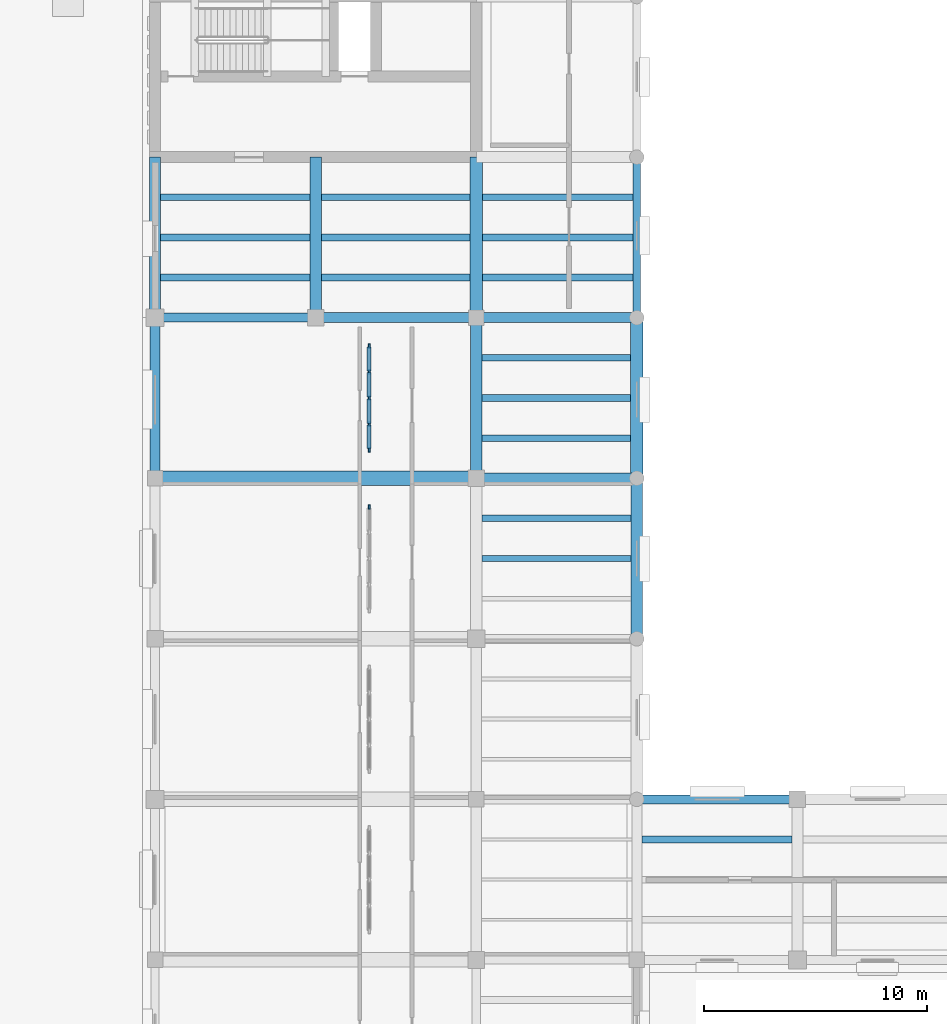
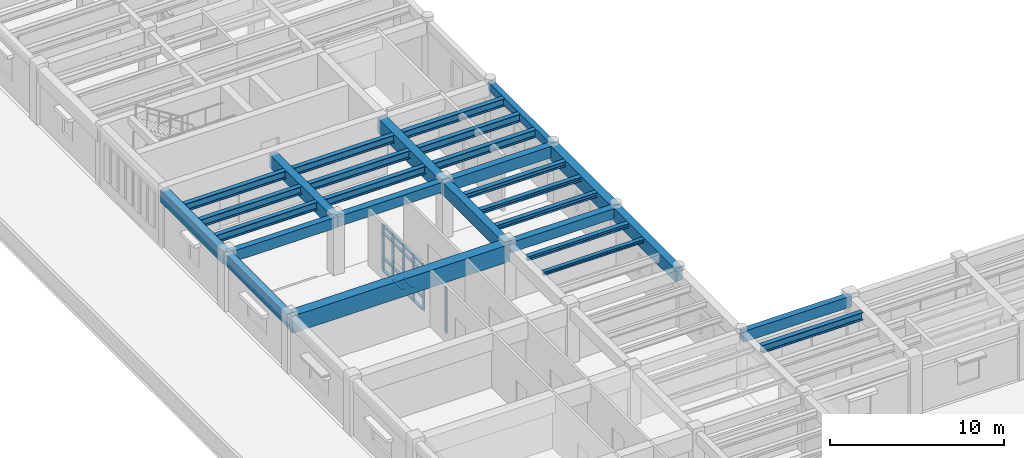
# One storey, part 6 of 76: 29 beams, 22 members, 2 elements without a shape of their own.
"""IFC4 building model written with IfcOpenShell, lengths in metres."""

from ifc_helpers import new_model, si_unit, direction, frame, origin, origin_2d, place, context, subcontext, project, spatial, rectangle, i_section, extrude, material, material_profile, profile_set, type_object, element, aggregate, save


model = new_model("IFC4")

# Units and contexts
model_context = context("Model", 3, precision=1e-05, world=origin(), true_north=direction((0.0, 1.0)))
body_context = subcontext(model_context, "Body", "Model", "MODEL_VIEW")
ifc_project = project(units=[si_unit("LENGTHUNIT", "METRE"), si_unit("AREAUNIT", "SQUARE_METRE"), si_unit("VOLUMEUNIT", "CUBIC_METRE"), si_unit("PLANEANGLEUNIT", "RADIAN"), si_unit("MASSUNIT", "GRAM", prefix="KILO")], contexts=[model_context])

# Site, building, storey
site_placement = place(None, origin())
site = spatial("IfcSite", under=ifc_project, at=site_placement, CompositionType="ELEMENT")
building_placement = place(site_placement, origin())
building = spatial("IfcBuilding", under=site, at=building_placement, Name="Mithqara Police Headquarters", CompositionType="ELEMENT")
storey_placement = place(building_placement, frame((0.0, 0.0, 5.39990234375)))
storey = spatial("IfcBuildingStorey", under=building, at=storey_placement, Name="L01", CompositionType="ELEMENT", Elevation=5.39990234375)

# Beams
ifc_material_1 = material(Name="Steel S355JR", Category="steel")
ifc_material_profile_1 = material_profile(ifc_material_1, i_section(OverallWidth=0.300048828125, OverallDepth=0.300048828125, WebThickness=0.010986328125, FlangeThickness=0.01904296875, FilletRadius=0.027099609375, at=origin_2d()), Name="HEB 300")
ifc_profile_set_1 = profile_set([ifc_material_profile_1], Name="Steel S355JR")
beam_type_1 = type_object("IfcBeamType", Name="BEAM HEB300", PredefinedType="BEAM", material=ifc_profile_set_1)
beam_1_placement = place(storey_placement, frame((22.449951171875, 53.39990234375, 3.77001953125), z_axis=(1.0, 0.0, 0.0), x_axis=(0.0, 1.0, 0.0)))
element("IfcBeam", 1, at=beam_1_placement, inside=storey, type_object=beam_type_1, Name="L01 Composite Steel Joist 4-5/H.2", PredefinedType="BEAM", context=body_context, shape_type="SweptSolid", body=[
    extrude(i_section(OverallWidth=0.300048828125, OverallDepth=0.300048828125, WebThickness=0.010986328125, FlangeThickness=0.01904296875, FilletRadius=0.027099609375, at=origin_2d()), origin(), (0.0, 0.0, 1.0), 6.675048828125),
])
ifc_material_profile_2 = material_profile(ifc_material_1, i_section(OverallWidth=0.300048828125, OverallDepth=0.360107421875, WebThickness=0.012451171875, FlangeThickness=0.0224609375, FilletRadius=0.027099609375, at=origin_2d()), Name="HEB 360")
ifc_profile_set_2 = profile_set([ifc_material_profile_2], Name="Steel S355JR")
beam_type_2 = type_object("IfcBeamType", Name="BEAM HEB360", PredefinedType="BEAM", material=ifc_profile_set_2)
beam_2_placement = place(storey_placement, frame((22.449951171875, 55.199951171875, 3.739990234375), z_axis=(1.0, 0.0, 0.0), x_axis=(0.0, 1.0, 0.0)))
element("IfcBeam", 2, at=beam_2_placement, inside=storey, type_object=beam_type_2, Name="L01 Composite Steel Joist 4-5/H.3", PredefinedType="BEAM", context=body_context, shape_type="SweptSolid", body=[
    extrude(i_section(OverallWidth=0.300048828125, OverallDepth=0.360107421875, WebThickness=0.012451171875, FlangeThickness=0.0224609375, FilletRadius=0.027099609375, at=origin_2d()), origin(), (0.0, 0.0, 1.0), 6.675048828125),
])
ifc_material_profile_3 = material_profile(ifc_material_1, i_section(OverallWidth=0.300048828125, OverallDepth=0.550048828125, WebThickness=0.014892578125, FlangeThickness=0.029052734375, FilletRadius=0.027099609375, at=origin_2d()), Name="HEB 550")
ifc_profile_set_3 = profile_set([ifc_material_profile_3], Name="Steel S355JR")
beam_type_3 = type_object("IfcBeamType", Name="BEAM HEB550", PredefinedType="BEAM", material=ifc_profile_set_3)
for number, where, z_axis, x_axis, name in (
    (3, (8.050048828125, 58.800048828125, 3.64501953125), (1.0, 0.0, 0.0), (0.0, 1.0, 0.0), "L01 Composite Steel Joist 2-3/J.1"),
    (4, (8.050048828125, 60.60009765625, 3.64501953125), (1.0, 0.0, 0.0), (0.0, 1.0, 0.0), "L01 Composite Steel Joist 2-3/J.2"),
    (5, (8.050048828125, 62.39990234375, 3.64501953125), (1.0, 0.0, 0.0), (0.0, 1.0, 0.0), "L01 Composite Steel Joist 2-3/J.3"),
):
    element("IfcBeam", number, at=place(storey_placement, frame(where, z_axis=z_axis, x_axis=x_axis)), inside=storey, type_object=beam_type_3, Name=name, PredefinedType="BEAM", context=body_context, shape_type="SweptSolid", body=[
        extrude(i_section(OverallWidth=0.300048828125, OverallDepth=0.550048828125, WebThickness=0.014892578125, FlangeThickness=0.029052734375, FilletRadius=0.027099609375, at=origin_2d()), origin(), (0.0, 0.0, 1.0), 6.699951171875),
    ])
for number, where, z_axis, x_axis, name in (
    (6, (15.25, 58.800048828125, 3.64501953125), (1.0, 0.0, 0.0), (0.0, 1.0, 0.0), "L01 Composite Steel Joist 3-4/J.1"),
    (7, (15.25, 60.60009765625, 3.64501953125), (1.0, 0.0, 0.0), (0.0, 1.0, 0.0), "L01 Composite Steel Joist 3-4/J.2"),
    (8, (15.25, 62.39990234375, 3.64501953125), (1.0, 0.0, 0.0), (0.0, 1.0, 0.0), "L01 Composite Steel Joist 3-4/J.3"),
):
    element("IfcBeam", number, at=place(storey_placement, frame(where, z_axis=z_axis, x_axis=x_axis)), inside=storey, type_object=beam_type_3, Name=name, PredefinedType="BEAM", context=body_context, shape_type="SweptSolid", body=[
        extrude(i_section(OverallWidth=0.300048828125, OverallDepth=0.550048828125, WebThickness=0.014892578125, FlangeThickness=0.029052734375, FilletRadius=0.027099609375, at=origin_2d()), origin(), (0.0, 0.0, 1.0), 6.675048828125),
    ])
for number, where, z_axis, x_axis, name in (
    (9, (22.47509765625, 58.800048828125, 3.64501953125), (1.0, 0.0, 0.0), (0.0, 1.0, 0.0), "L01 Composite Steel Joist 4-5/J.1"),
    (10, (22.47509765625, 60.60009765625, 3.64501953125), (1.0, 0.0, 0.0), (0.0, 1.0, 0.0), "L01 Composite Steel Joist 4-5/J.2"),
    (11, (22.47509765625, 62.39990234375, 3.64501953125), (1.0, 0.0, 0.0), (0.0, 1.0, 0.0), "L01 Composite Steel Joist 4-5/J.3"),
):
    element("IfcBeam", number, at=place(storey_placement, frame(where, z_axis=z_axis, x_axis=x_axis)), inside=storey, type_object=beam_type_3, Name=name, PredefinedType="BEAM", context=body_context, shape_type="SweptSolid", body=[
        extrude(i_section(OverallWidth=0.300048828125, OverallDepth=0.550048828125, WebThickness=0.014892578125, FlangeThickness=0.029052734375, FilletRadius=0.027099609375, at=origin_2d()), origin(), (0.0, 0.0, 1.0), 6.75),
    ])
beam_3_placement = place(storey_placement, frame((29.625, 33.60009765625, 3.64501953125), z_axis=(1.0, 0.0, 0.0), x_axis=(0.0, 1.0, 0.0)))
element("IfcBeam", 12, at=beam_3_placement, inside=storey, type_object=beam_type_3, Name="L01 Composite Steel Joist 5-6/E.3", PredefinedType="BEAM", context=body_context, shape_type="SweptSolid", body=[
    extrude(i_section(OverallWidth=0.300048828125, OverallDepth=0.550048828125, WebThickness=0.014892578125, FlangeThickness=0.029052734375, FilletRadius=0.027099609375, at=origin_2d()), origin(), (0.0, 0.0, 1.0), 6.72509765625),
])
ifc_material_2 = material(Name="Concrete C40/50", Category="concrete")
ifc_material_profile_4 = material_profile(ifc_material_2, rectangle(XDim=0.35009765625, YDim=0.550048828125, at=origin_2d()), Name="RC 350x550")
ifc_profile_set_4 = profile_set([ifc_material_profile_4], Name="Concrete C40/50")
beam_type_4 = type_object("IfcBeamType", Name="BEAM RC350X550", PredefinedType="BEAM", material=ifc_profile_set_4)
beam_4_placement = place(storey_placement, frame((29.39990234375, 57.0, 3.64501953125), z_axis=(0.0, 1.0, 0.0), x_axis=(-1.0, 0.0, 0.0)))
element("IfcBeam", 13, at=beam_4_placement, inside=storey, type_object=beam_type_4, Name="L01 Girder 5/J-K", PredefinedType="BEAM", context=body_context, shape_type="SweptSolid", body=[
    extrude(rectangle(XDim=0.35009765625, YDim=0.550048828125, at=origin_2d()), origin(), (0.0, 0.0, 1.0), 7.199951171875),
])
ifc_material_profile_5 = material_profile(ifc_material_2, rectangle(XDim=0.39990234375, YDim=0.75, at=origin_2d()), Name="RC 400x750")
ifc_profile_set_5 = profile_set([ifc_material_profile_5], Name="Concrete C40/50")
beam_type_5 = type_object("IfcBeamType", Name="BEAM RC400X750", PredefinedType="BEAM", material=ifc_profile_set_5)
beam_5_placement = place(storey_placement, frame((7.800048828125, 57.0, 3.545166015625), z_axis=(1.0, 0.0, 0.0), x_axis=(0.0, 1.0, 0.0)))
element("IfcBeam", 14, at=beam_5_placement, inside=storey, type_object=beam_type_5, Name="L01 Girder 2-3/J", PredefinedType="BEAM", context=body_context, shape_type="SweptSolid", body=[
    extrude(rectangle(XDim=0.39990234375, YDim=0.75, at=origin_2d()), origin(), (0.0, 0.0, 1.0), 7.199951171875),
])
beam_6_placement = place(storey_placement, frame((29.39990234375, 35.39990234375, 3.545166015625), z_axis=(1.0, 0.0, 0.0), x_axis=(0.0, 1.0, 0.0)))
element("IfcBeam", 15, at=beam_6_placement, inside=storey, type_object=beam_type_5, Name="L01 Girder 5-6/F", PredefinedType="BEAM", context=body_context, shape_type="SweptSolid", body=[
    extrude(rectangle(XDim=0.39990234375, YDim=0.75, at=origin_2d()), origin(), (0.0, 0.0, 1.0), 7.2001953125),
])
ifc_material_profile_6 = material_profile(ifc_material_2, rectangle(XDim=0.449951171875, YDim=0.699951171875, at=origin_2d()), Name="RC 450x700")
ifc_profile_set_6 = profile_set([ifc_material_profile_6], Name="Concrete C40/50")
beam_type_6 = type_object("IfcBeamType", Name="BEAM RC450X700", PredefinedType="BEAM", material=ifc_profile_set_6)
for number, where, z_axis, x_axis, name in (
    (16, (15.0, 57.0, 3.570068359375), (1.0, 0.0, 0.0), (0.0, 1.0, 0.0), "L01 Girder 3-4/J"),
    (17, (22.199951171875, 49.800048828125, 3.570068359375), (1.0, 0.0, 0.0), (0.0, 1.0, 0.0), "L01 Girder 4-5/H"),
):
    element("IfcBeam", number, at=place(storey_placement, frame(where, z_axis=z_axis, x_axis=x_axis)), inside=storey, type_object=beam_type_6, Name=name, PredefinedType="BEAM", context=body_context, shape_type="SweptSolid", body=[
        extrude(rectangle(XDim=0.449951171875, YDim=0.699951171875, at=origin_2d()), origin(), (0.0, 0.0, 1.0), 7.199951171875),
    ])
ifc_material_profile_7 = material_profile(ifc_material_2, rectangle(XDim=0.449951171875, YDim=0.800048828125, at=origin_2d()), Name="RC 450x800")
ifc_profile_set_7 = profile_set([ifc_material_profile_7], Name="Concrete C40/50")
beam_type_7 = type_object("IfcBeamType", Name="BEAM RC450X800", PredefinedType="BEAM", material=ifc_profile_set_7)
for number, where, z_axis, x_axis, name in (
    (18, (7.800048828125, 49.800048828125, 3.52001953125), (0.0, 1.0, 0.0), (-1.0, 0.0, 0.0), "L01 Girder 2/H-J"),
    (19, (22.199951171875, 57.0, 3.52001953125), (1.0, 0.0, 0.0), (0.0, 1.0, 0.0), "L01 Girder 4-5/J"),
):
    element("IfcBeam", number, at=place(storey_placement, frame(where, z_axis=z_axis, x_axis=x_axis)), inside=storey, type_object=beam_type_7, Name=name, PredefinedType="BEAM", context=body_context, shape_type="SweptSolid", body=[
        extrude(rectangle(XDim=0.449951171875, YDim=0.800048828125, at=origin_2d()), origin(), (0.0, 0.0, 1.0), 7.199951171875),
    ])
ifc_material_profile_8 = material_profile(ifc_material_2, rectangle(XDim=0.5, YDim=0.85009765625, at=origin_2d()), Name="RC 500x850")
ifc_profile_set_8 = profile_set([ifc_material_profile_8], Name="Concrete C40/50")
beam_type_8 = type_object("IfcBeamType", Name="BEAM RC500X850", PredefinedType="BEAM", material=ifc_profile_set_8)
beam_7_placement = place(storey_placement, frame((7.800048828125, 57.0, 3.4951171875), z_axis=(0.0, 1.0, 0.0), x_axis=(-1.0, 0.0, 0.0)))
element("IfcBeam", 20, at=beam_7_placement, inside=storey, type_object=beam_type_8, Name="L01 Girder 2/J-K", PredefinedType="BEAM", context=body_context, shape_type="SweptSolid", body=[
    extrude(rectangle(XDim=0.5, YDim=0.85009765625, at=origin_2d()), origin(), (0.0, 0.0, 1.0), 7.199951171875),
])
ifc_material_3 = material(Name="Concrete C50/60", Category="concrete")
ifc_material_profile_9 = material_profile(ifc_material_3, rectangle(XDim=0.5, YDim=0.89990234375, at=origin_2d()), Name="RC 500x900")
ifc_profile_set_9 = profile_set([ifc_material_profile_9], Name="Concrete C50/60")
beam_type_9 = type_object("IfcBeamType", Name="BEAM RC500X900", PredefinedType="BEAM", material=ifc_profile_set_9)
for number, where, z_axis, x_axis, name in (
    (21, (15.0, 57.0, 3.47021484375), (0.0, 1.0, 0.0), (-1.0, 0.0, 0.0), "L01 Girder 3/J-K"),
    (22, (22.199951171875, 49.800048828125, 3.47021484375), (0.0, 1.0, 0.0), (-1.0, 0.0, 0.0), "L01 Girder 4/H-J"),
    (23, (29.39990234375, 42.60009765625, 3.47021484375), (0.0, 1.0, 0.0), (-1.0, 0.0, 0.0), "L01 Girder 5/G-H"),
):
    element("IfcBeam", number, at=place(storey_placement, frame(where, z_axis=z_axis, x_axis=x_axis)), inside=storey, type_object=beam_type_9, Name=name, PredefinedType="BEAM", context=body_context, shape_type="SweptSolid", body=[
        extrude(rectangle(XDim=0.5, YDim=0.89990234375, at=origin_2d()), origin(), (0.0, 0.0, 1.0), 7.199951171875),
    ])
ifc_material_profile_10 = material_profile(ifc_material_3, rectangle(XDim=0.550048828125, YDim=1.0, at=origin_2d()), Name="RC 550x1000")
ifc_profile_set_10 = profile_set([ifc_material_profile_10], Name="Concrete C50/60")
beam_type_10 = type_object("IfcBeamType", Name="BEAM RC550X1000", PredefinedType="BEAM", material=ifc_profile_set_10)
for number, where, z_axis, x_axis, name in (
    (24, (22.199951171875, 57.0, 3.420166015625), (0.0, 1.0, 0.0), (-1.0, 0.0, 0.0), "L01 Girder 4/J-K"),
    (25, (29.39990234375, 49.800048828125, 3.420166015625), (0.0, 1.0, 0.0), (-1.0, 0.0, 0.0), "L01 Girder 5/H-J"),
):
    element("IfcBeam", number, at=place(storey_placement, frame(where, z_axis=z_axis, x_axis=x_axis)), inside=storey, type_object=beam_type_10, Name=name, PredefinedType="BEAM", context=body_context, shape_type="SweptSolid", body=[
        extrude(rectangle(XDim=0.550048828125, YDim=1.0, at=origin_2d()), origin(), (0.0, 0.0, 1.0), 7.199951171875),
    ])

# Curtain wall, member
ifc_material_4 = material(Name="Bronze anodised aluminium 6063-T6", Category="aluminium")
curtain_wall_type = type_object("IfcCurtainWallType", Name="CURTAIN WALL 4700X3200", PredefinedType="USERDEFINED", material=ifc_material_4)
curtain_wall_1_placement = place(storey_placement, origin())
curtain_wall_1 = element("IfcCurtainWall", 26, at=curtain_wall_1_placement, inside=storey, type_object=curtain_wall_type, Name="L01 Unitised Glazing CW-15 (CW-INT-L01-X02-Y06-0)", ObjectType="UNITISED GLAZING", PredefinedType="USERDEFINED")
ifc_material_profile_11 = material_profile(ifc_material_4, rectangle(XDim=0.074951171875, YDim=0.219970703125, at=origin_2d()), Name="CWM 75x220")
ifc_profile_set_11 = profile_set([ifc_material_profile_11], Name="Bronze anodised aluminium 6063-T6")
member_type_1 = type_object("IfcMemberType", Name="CWMULLION 75X220", PredefinedType="MULLION", material=ifc_profile_set_11)
member_1_placement = place(storey_placement, frame((17.39990234375, 48.512451171875, 0.0), z_axis=(0.0, 0.0, 1.0), x_axis=(-1.0, 0.0, 0.0)))
member_1 = element("IfcMember", 27, at=member_1_placement, type_object=member_type_1, Name="CW-15 mullion 5", PredefinedType="MULLION", context=body_context, shape_type="SweptSolid", body=[
    extrude(rectangle(XDim=0.074951171875, YDim=0.219970703125, at=origin_2d()), origin(), (0.0, 0.0, 1.0), 3.2001953125),
])
aggregate(curtain_wall_1, [member_1])

# Curtain wall, members
curtain_wall_2_placement = place(storey_placement, origin())
curtain_wall_2 = element("IfcCurtainWall", 28, at=curtain_wall_2_placement, inside=storey, type_object=curtain_wall_type, Name="L01 Unitised Glazing CW-15 (CW-INT-L01-X02-Y07-0)", ObjectType="UNITISED GLAZING", PredefinedType="USERDEFINED")
member_2_placement = place(storey_placement, frame((17.39990234375, 51.08740234375, 0.0), z_axis=(0.0, 0.0, 1.0), x_axis=(-1.0, 0.0, 0.0)))
member_2 = element("IfcMember", 29, at=member_2_placement, type_object=member_type_1, Name="CW-15 mullion 1", PredefinedType="MULLION", context=body_context, shape_type="SweptSolid", body=[
    extrude(rectangle(XDim=0.074951171875, YDim=0.219970703125, at=origin_2d()), origin(), (0.0, 0.0, 1.0), 3.2001953125),
])
member_3_placement = place(storey_placement, frame((17.39990234375, 52.22509765625, 0.0), z_axis=(0.0, 0.0, 1.0), x_axis=(-1.0, 0.0, 0.0)))
member_3 = element("IfcMember", 30, at=member_3_placement, type_object=member_type_1, Name="CW-15 mullion 2", PredefinedType="MULLION", context=body_context, shape_type="SweptSolid", body=[
    extrude(rectangle(XDim=0.074951171875, YDim=0.219970703125, at=origin_2d()), origin(), (0.0, 0.0, 1.0), 3.2001953125),
])
member_4_placement = place(storey_placement, frame((17.39990234375, 53.39990234375, 0.0), z_axis=(0.0, 0.0, 1.0), x_axis=(-1.0, 0.0, 0.0)))
member_4 = element("IfcMember", 31, at=member_4_placement, type_object=member_type_1, Name="CW-15 mullion 3", PredefinedType="MULLION", context=body_context, shape_type="SweptSolid", body=[
    extrude(rectangle(XDim=0.074951171875, YDim=0.219970703125, at=origin_2d()), origin(), (0.0, 0.0, 1.0), 3.2001953125),
])
member_5_placement = place(storey_placement, frame((17.39990234375, 54.574951171875, 0.0), z_axis=(0.0, 0.0, 1.0), x_axis=(-1.0, 0.0, 0.0)))
member_5 = element("IfcMember", 32, at=member_5_placement, type_object=member_type_1, Name="CW-15 mullion 4", PredefinedType="MULLION", context=body_context, shape_type="SweptSolid", body=[
    extrude(rectangle(XDim=0.074951171875, YDim=0.219970703125, at=origin_2d()), origin(), (0.0, 0.0, 1.0), 3.2001953125),
])
member_6_placement = place(storey_placement, frame((17.39990234375, 55.71240234375, 0.0), z_axis=(0.0, 0.0, 1.0), x_axis=(-1.0, 0.0, 0.0)))
member_6 = element("IfcMember", 33, at=member_6_placement, type_object=member_type_1, Name="CW-15 mullion 5", PredefinedType="MULLION", context=body_context, shape_type="SweptSolid", body=[
    extrude(rectangle(XDim=0.074951171875, YDim=0.219970703125, at=origin_2d()), origin(), (0.0, 0.0, 1.0), 3.2001953125),
])
ifc_material_profile_12 = material_profile(ifc_material_4, rectangle(XDim=0.179931640625, YDim=0.074951171875, at=origin_2d()), Name="CWT 180x75")
ifc_profile_set_12 = profile_set([ifc_material_profile_12], Name="Bronze anodised aluminium 6063-T6")
member_type_2 = type_object("IfcMemberType", Name="CWTRANSOM 180X75", PredefinedType="USERDEFINED", material=ifc_profile_set_12)
member_7_placement = place(storey_placement, frame((17.39990234375, 51.125, 0.03759765625), z_axis=(0.0, 1.0, 0.0), x_axis=(-1.0, 0.0, 0.0)))
member_7 = element("IfcMember", 34, at=member_7_placement, type_object=member_type_2, Name="CW-15 transom 1.1", ObjectType="TRANSOM", PredefinedType="USERDEFINED", context=body_context, shape_type="SweptSolid", body=[
    extrude(rectangle(XDim=0.179931640625, YDim=0.074951171875, at=origin_2d()), origin(), (0.0, 0.0, 1.0), 1.0625),
])
member_8_placement = place(storey_placement, frame((17.39990234375, 51.125, 0.900146484375), z_axis=(0.0, 1.0, 0.0), x_axis=(-1.0, 0.0, 0.0)))
member_8 = element("IfcMember", 35, at=member_8_placement, type_object=member_type_2, Name="CW-15 transom 1.2", ObjectType="TRANSOM", PredefinedType="USERDEFINED", context=body_context, shape_type="SweptSolid", body=[
    extrude(rectangle(XDim=0.179931640625, YDim=0.074951171875, at=origin_2d()), origin(), (0.0, 0.0, 1.0), 1.0625),
])
member_9_placement = place(storey_placement, frame((17.39990234375, 51.125, 2.650146484375), z_axis=(0.0, 1.0, 0.0), x_axis=(-1.0, 0.0, 0.0)))
member_9 = element("IfcMember", 36, at=member_9_placement, type_object=member_type_2, Name="CW-15 transom 1.3", ObjectType="TRANSOM", PredefinedType="USERDEFINED", context=body_context, shape_type="SweptSolid", body=[
    extrude(rectangle(XDim=0.179931640625, YDim=0.074951171875, at=origin_2d()), origin(), (0.0, 0.0, 1.0), 1.0625),
])
member_10_placement = place(storey_placement, frame((17.39990234375, 51.125, 3.16259765625), z_axis=(0.0, 1.0, 0.0), x_axis=(-1.0, 0.0, 0.0)))
member_10 = element("IfcMember", 37, at=member_10_placement, type_object=member_type_2, Name="CW-15 transom 1.4", ObjectType="TRANSOM", PredefinedType="USERDEFINED", context=body_context, shape_type="SweptSolid", body=[
    extrude(rectangle(XDim=0.179931640625, YDim=0.074951171875, at=origin_2d()), origin(), (0.0, 0.0, 1.0), 1.0625),
])
member_11_placement = place(storey_placement, frame((17.39990234375, 52.262451171875, 0.03759765625), z_axis=(0.0, 1.0, 0.0), x_axis=(-1.0, 0.0, 0.0)))
member_11 = element("IfcMember", 38, at=member_11_placement, type_object=member_type_2, Name="CW-15 transom 2.1", ObjectType="TRANSOM", PredefinedType="USERDEFINED", context=body_context, shape_type="SweptSolid", body=[
    extrude(rectangle(XDim=0.179931640625, YDim=0.074951171875, at=origin_2d()), origin(), (0.0, 0.0, 1.0), 1.10009765625),
])
member_12_placement = place(storey_placement, frame((17.39990234375, 52.262451171875, 0.900146484375), z_axis=(0.0, 1.0, 0.0), x_axis=(-1.0, 0.0, 0.0)))
member_12 = element("IfcMember", 39, at=member_12_placement, type_object=member_type_2, Name="CW-15 transom 2.2", ObjectType="TRANSOM", PredefinedType="USERDEFINED", context=body_context, shape_type="SweptSolid", body=[
    extrude(rectangle(XDim=0.179931640625, YDim=0.074951171875, at=origin_2d()), origin(), (0.0, 0.0, 1.0), 1.10009765625),
])
member_13_placement = place(storey_placement, frame((17.39990234375, 52.262451171875, 2.650146484375), z_axis=(0.0, 1.0, 0.0), x_axis=(-1.0, 0.0, 0.0)))
member_13 = element("IfcMember", 40, at=member_13_placement, type_object=member_type_2, Name="CW-15 transom 2.3", ObjectType="TRANSOM", PredefinedType="USERDEFINED", context=body_context, shape_type="SweptSolid", body=[
    extrude(rectangle(XDim=0.179931640625, YDim=0.074951171875, at=origin_2d()), origin(), (0.0, 0.0, 1.0), 1.10009765625),
])
member_14_placement = place(storey_placement, frame((17.39990234375, 52.262451171875, 3.16259765625), z_axis=(0.0, 1.0, 0.0), x_axis=(-1.0, 0.0, 0.0)))
member_14 = element("IfcMember", 41, at=member_14_placement, type_object=member_type_2, Name="CW-15 transom 2.4", ObjectType="TRANSOM", PredefinedType="USERDEFINED", context=body_context, shape_type="SweptSolid", body=[
    extrude(rectangle(XDim=0.179931640625, YDim=0.074951171875, at=origin_2d()), origin(), (0.0, 0.0, 1.0), 1.10009765625),
])
member_15_placement = place(storey_placement, frame((17.39990234375, 53.4375, 0.03759765625), z_axis=(0.0, 1.0, 0.0), x_axis=(-1.0, 0.0, 0.0)))
member_15 = element("IfcMember", 42, at=member_15_placement, type_object=member_type_2, Name="CW-15 transom 3.1", ObjectType="TRANSOM", PredefinedType="USERDEFINED", context=body_context, shape_type="SweptSolid", body=[
    extrude(rectangle(XDim=0.179931640625, YDim=0.074951171875, at=origin_2d()), origin(), (0.0, 0.0, 1.0), 1.10009765625),
])
member_16_placement = place(storey_placement, frame((17.39990234375, 53.4375, 0.900146484375), z_axis=(0.0, 1.0, 0.0), x_axis=(-1.0, 0.0, 0.0)))
member_16 = element("IfcMember", 43, at=member_16_placement, type_object=member_type_2, Name="CW-15 transom 3.2", ObjectType="TRANSOM", PredefinedType="USERDEFINED", context=body_context, shape_type="SweptSolid", body=[
    extrude(rectangle(XDim=0.179931640625, YDim=0.074951171875, at=origin_2d()), origin(), (0.0, 0.0, 1.0), 1.10009765625),
])
member_17_placement = place(storey_placement, frame((17.39990234375, 53.4375, 2.650146484375), z_axis=(0.0, 1.0, 0.0), x_axis=(-1.0, 0.0, 0.0)))
member_17 = element("IfcMember", 44, at=member_17_placement, type_object=member_type_2, Name="CW-15 transom 3.3", ObjectType="TRANSOM", PredefinedType="USERDEFINED", context=body_context, shape_type="SweptSolid", body=[
    extrude(rectangle(XDim=0.179931640625, YDim=0.074951171875, at=origin_2d()), origin(), (0.0, 0.0, 1.0), 1.10009765625),
])
member_18_placement = place(storey_placement, frame((17.39990234375, 53.4375, 3.16259765625), z_axis=(0.0, 1.0, 0.0), x_axis=(-1.0, 0.0, 0.0)))
member_18 = element("IfcMember", 45, at=member_18_placement, type_object=member_type_2, Name="CW-15 transom 3.4", ObjectType="TRANSOM", PredefinedType="USERDEFINED", context=body_context, shape_type="SweptSolid", body=[
    extrude(rectangle(XDim=0.179931640625, YDim=0.074951171875, at=origin_2d()), origin(), (0.0, 0.0, 1.0), 1.10009765625),
])
member_19_placement = place(storey_placement, frame((17.39990234375, 54.612548828125, 0.03759765625), z_axis=(0.0, 1.0, 0.0), x_axis=(-1.0, 0.0, 0.0)))
member_19 = element("IfcMember", 46, at=member_19_placement, type_object=member_type_2, Name="CW-15 transom 4.1", ObjectType="TRANSOM", PredefinedType="USERDEFINED", context=body_context, shape_type="SweptSolid", body=[
    extrude(rectangle(XDim=0.179931640625, YDim=0.074951171875, at=origin_2d()), origin(), (0.0, 0.0, 1.0), 1.0625),
])
member_20_placement = place(storey_placement, frame((17.39990234375, 54.612548828125, 0.900146484375), z_axis=(0.0, 1.0, 0.0), x_axis=(-1.0, 0.0, 0.0)))
member_20 = element("IfcMember", 47, at=member_20_placement, type_object=member_type_2, Name="CW-15 transom 4.2", ObjectType="TRANSOM", PredefinedType="USERDEFINED", context=body_context, shape_type="SweptSolid", body=[
    extrude(rectangle(XDim=0.179931640625, YDim=0.074951171875, at=origin_2d()), origin(), (0.0, 0.0, 1.0), 1.0625),
])
member_21_placement = place(storey_placement, frame((17.39990234375, 54.612548828125, 2.650146484375), z_axis=(0.0, 1.0, 0.0), x_axis=(-1.0, 0.0, 0.0)))
member_21 = element("IfcMember", 48, at=member_21_placement, type_object=member_type_2, Name="CW-15 transom 4.3", ObjectType="TRANSOM", PredefinedType="USERDEFINED", context=body_context, shape_type="SweptSolid", body=[
    extrude(rectangle(XDim=0.179931640625, YDim=0.074951171875, at=origin_2d()), origin(), (0.0, 0.0, 1.0), 1.0625),
])
member_22_placement = place(storey_placement, frame((17.39990234375, 54.612548828125, 3.16259765625), z_axis=(0.0, 1.0, 0.0), x_axis=(-1.0, 0.0, 0.0)))
member_22 = element("IfcMember", 49, at=member_22_placement, type_object=member_type_2, Name="CW-15 transom 4.4", ObjectType="TRANSOM", PredefinedType="USERDEFINED", context=body_context, shape_type="SweptSolid", body=[
    extrude(rectangle(XDim=0.179931640625, YDim=0.074951171875, at=origin_2d()), origin(), (0.0, 0.0, 1.0), 1.0625),
])
aggregate(curtain_wall_2, [member_2, member_3, member_4, member_5, member_6, member_7, member_8, member_9, member_10, member_11, member_12, member_13, member_14, member_15, member_16, member_17, member_18, member_19, member_20, member_21, member_22])

# Beams
ifc_material_profile_13 = material_profile(ifc_material_1, i_section(OverallWidth=0.260009765625, OverallDepth=0.25, WebThickness=0.007568359375, FlangeThickness=0.012451171875, FilletRadius=0.02392578125, at=origin_2d()), Name="HEA 260")
ifc_profile_set_13 = profile_set([ifc_material_profile_13], Name="Steel S355JR")
beam_type_11 = type_object("IfcBeamType", Name="JOIST HEA260", PredefinedType="JOIST", material=ifc_profile_set_13)
beam_8_placement = place(storey_placement, frame((22.449951171875, 46.199951171875, 3.795166015625), z_axis=(1.0, 0.0, 0.0), x_axis=(0.0, 1.0, 0.0)))
element("IfcBeam", 50, at=beam_8_placement, inside=storey, type_object=beam_type_11, Name="L01 Composite Steel Joist 4-5/G.2", PredefinedType="JOIST", context=body_context, shape_type="SweptSolid", body=[
    extrude(i_section(OverallWidth=0.260009765625, OverallDepth=0.25, WebThickness=0.007568359375, FlangeThickness=0.012451171875, FilletRadius=0.02392578125, at=origin_2d()), origin(), (0.0, 0.0, 1.0), 6.699951171875),
])
ifc_material_profile_14 = material_profile(ifc_material_1, i_section(OverallWidth=0.300048828125, OverallDepth=0.2900390625, WebThickness=0.008544921875, FlangeThickness=0.013916015625, FilletRadius=0.027099609375, at=origin_2d()), Name="HEA 300")
ifc_profile_set_14 = profile_set([ifc_material_profile_14], Name="Steel S355JR")
beam_type_12 = type_object("IfcBeamType", Name="JOIST HEA300", PredefinedType="JOIST", material=ifc_profile_set_14)
beam_9_placement = place(storey_placement, frame((22.449951171875, 48.0, 3.775146484375), z_axis=(1.0, 0.0, 0.0), x_axis=(0.0, 1.0, 0.0)))
element("IfcBeam", 51, at=beam_9_placement, inside=storey, type_object=beam_type_12, Name="L01 Composite Steel Joist 4-5/G.3", PredefinedType="JOIST", context=body_context, shape_type="SweptSolid", body=[
    extrude(i_section(OverallWidth=0.300048828125, OverallDepth=0.2900390625, WebThickness=0.008544921875, FlangeThickness=0.013916015625, FilletRadius=0.027099609375, at=origin_2d()), origin(), (0.0, 0.0, 1.0), 6.699951171875),
])
ifc_material_profile_15 = material_profile(ifc_material_1, i_section(OverallWidth=0.300048828125, OverallDepth=0.330078125, WebThickness=0.009521484375, FlangeThickness=0.0166015625, FilletRadius=0.027099609375, at=origin_2d()), Name="HEA 340")
ifc_profile_set_15 = profile_set([ifc_material_profile_15], Name="Steel S355JR")
beam_type_13 = type_object("IfcBeamType", Name="JOIST HEA340", PredefinedType="JOIST", material=ifc_profile_set_15)
beam_10_placement = place(storey_placement, frame((22.449951171875, 51.60009765625, 3.755126953125), z_axis=(1.0, 0.0, 0.0), x_axis=(0.0, 1.0, 0.0)))
element("IfcBeam", 52, at=beam_10_placement, inside=storey, type_object=beam_type_13, Name="L01 Composite Steel Joist 4-5/H.1", PredefinedType="JOIST", context=body_context, shape_type="SweptSolid", body=[
    extrude(i_section(OverallWidth=0.300048828125, OverallDepth=0.330078125, WebThickness=0.009521484375, FlangeThickness=0.0166015625, FilletRadius=0.027099609375, at=origin_2d()), origin(), (0.0, 0.0, 1.0), 6.675048828125),
])
ifc_material_profile_16 = material_profile(ifc_material_3, rectangle(XDim=0.64990234375, YDim=1.199951171875, at=origin_2d()), Name="RC 650x1200")
ifc_profile_set_16 = profile_set([ifc_material_profile_16], Name="Concrete C50/60")
beam_type_14 = type_object("IfcBeamType", Name="TRANSFER RC650X1200", PredefinedType="BEAM", material=ifc_profile_set_16)
beam_11_placement = place(storey_placement, frame((7.800048828125, 49.800048828125, 3.320068359375), z_axis=(1.0, 0.0, 0.0), x_axis=(0.0, 1.0, 0.0)))
element("IfcBeam", 53, at=beam_11_placement, inside=storey, type_object=beam_type_14, Name="L01 Girder 2-4/H", PredefinedType="BEAM", context=body_context, shape_type="SweptSolid", body=[
    extrude(rectangle(XDim=0.64990234375, YDim=1.199951171875, at=origin_2d()), origin(), (0.0, 0.0, 1.0), 14.39990234375),
])

save(model, "model.ifc")
